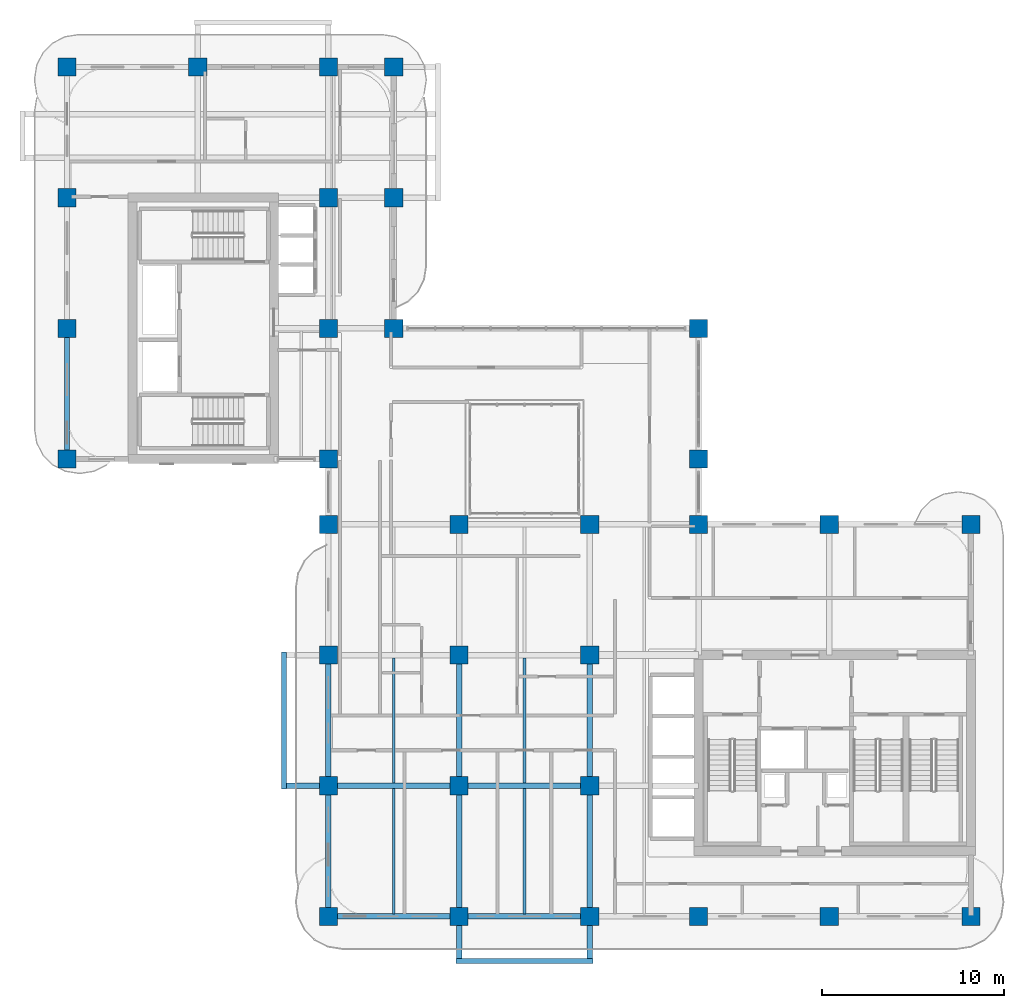
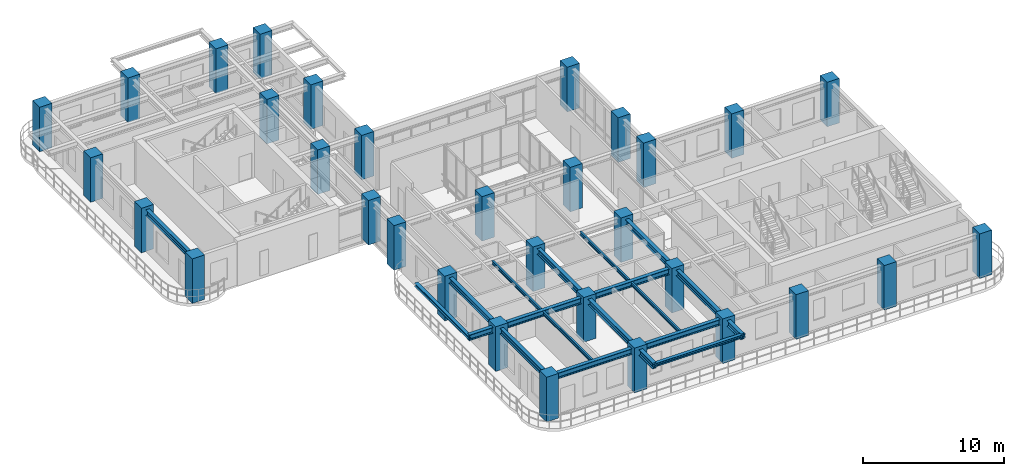
# One storey, part 1 of 21: 32 columns, 17 beams.
"""IFC4 building model written with IfcOpenShell, lengths in metres."""

import ifcopenshell
import ifcopenshell.guid

model = None  # the IFC model being written
_history = None  # IfcOwnerHistory: only IFC2X3 demands one
_inside = {}  # id of a spatial element -> (the spatial element, [elements in it])
_under = {}  # id of a project, library or spatial element -> (it, [spatial elements below it])
_declared = {}  # id of a project -> (the project, [libraries it declares])
_typed = {}  # id of a type object -> (the type object, [elements of that type])
_made_of = {}  # id of a material, layer set ... -> (it, [elements and type objects made of it])


def new_model(schema):
    """Start an empty IFC model of exactly this schema.

    Asked for "IFC4X3", IfcOpenShell would pick the latest addendum, in which some entities
    have other attributes; the version numbers below select the first issue.
    IFC2X3 requires an IfcOwnerHistory on every rooted entity: one is made here for all.
    """
    global model, _history
    if schema == "IFC4X3":
        model = ifcopenshell.file(schema_version=(4, 3, 0, 0))
    else:
        model = ifcopenshell.file(schema=schema)
    _inside.clear()
    _under.clear()
    _declared.clear()
    _typed.clear()
    _made_of.clear()
    _history = None
    if model.schema == "IFC2X3":
        org = make("IfcOrganization", Name="unknown")
        user = make(
            "IfcPersonAndOrganization",
            ThePerson=make("IfcPerson", FamilyName="unknown"),
            TheOrganization=org,
        )
        app = make(
            "IfcApplication",
            ApplicationDeveloper=org,
            Version="unknown",
            ApplicationFullName="unknown",
            ApplicationIdentifier="unknown",
        )
        _history = make(
            "IfcOwnerHistory",
            OwningUser=user,
            OwningApplication=app,
            ChangeAction="ADDED",
            CreationDate=0,
        )
    return model


def make(cls, **values):
    """One entity of the class cls with the attributes given. An attribute that is None is left unset."""
    return model.create_entity(
        cls, **{name: value for name, value in values.items() if value is not None}
    )


def rooted(cls, **values):
    """An entity with a GlobalId (a new one), such as an element, a storey or a relation."""
    return make(cls, GlobalId=ifcopenshell.guid.new(), OwnerHistory=_history, **values)


def si_unit(unit_type, name, prefix=None):
    """IfcSIUnit, for example si_unit("LENGTHUNIT", "METRE", prefix="MILLI")."""
    return make("IfcSIUnit", UnitType=unit_type, Prefix=prefix, Name=name)


def derived_unit(unit_type, elements):
    """IfcDerivedUnit: a product of units, each with its exponent."""
    return make(
        "IfcDerivedUnit",
        Elements=[
            make("IfcDerivedUnitElement", Unit=unit, Exponent=power)
            for unit, power in elements
        ],
        UnitType=unit_type,
    )


def assignment(units):
    """IfcUnitAssignment: the units of a project."""
    return None if units is None else make("IfcUnitAssignment", Units=units)


def point(xyz):
    """IfcCartesianPoint."""
    return None if xyz is None else make("IfcCartesianPoint", Coordinates=xyz)


def direction(xyz):
    """IfcDirection."""
    return None if xyz is None else make("IfcDirection", DirectionRatios=xyz)


def frame(location, z_axis=None, x_axis=None):
    """IfcAxis2Placement3D, a coordinate frame: its origin and axes. An axis left out is left unset."""
    return make(
        "IfcAxis2Placement3D",
        Location=point(location),
        Axis=direction(z_axis),
        RefDirection=direction(x_axis),
    )


def frame_2d(location, x_axis=None):
    """IfcAxis2Placement2D, a coordinate frame in the plane: its origin and x axis."""
    return make(
        "IfcAxis2Placement2D", Location=point(location), RefDirection=direction(x_axis)
    )


def origin():
    """The frame at (0, 0, 0) with its axes left unset."""
    return frame((0.0, 0.0, 0.0))


def origin_2d():
    """The frame at (0, 0) in the plane with its x axis left unset."""
    return frame_2d((0.0, 0.0))


def place(relative_to, where):
    """IfcLocalPlacement: puts the frame where relative to a parent placement (None: the world)."""
    return make(
        "IfcLocalPlacement", PlacementRelTo=relative_to, RelativePlacement=where
    )


def context(
    kind, dimensions, precision=None, world=None, true_north=None, identifier=None
):
    """IfcGeometricRepresentationContext, for example the 3D "Model" context."""
    return make(
        "IfcGeometricRepresentationContext",
        ContextIdentifier=identifier,
        ContextType=kind,
        CoordinateSpaceDimension=dimensions,
        Precision=precision,
        WorldCoordinateSystem=world,
        TrueNorth=true_north,
    )


def subcontext(parent, identifier, kind, view, scale=None):
    """IfcGeometricRepresentationSubContext, for example "Body" below "Model"."""
    return make(
        "IfcGeometricRepresentationSubContext",
        ContextIdentifier=identifier,
        ContextType=kind,
        ParentContext=parent,
        TargetScale=scale,
        TargetView=view,
    )


def project(units=None, contexts=None):
    """IfcProject with its units and contexts."""
    return rooted(
        "IfcProject",
        Name="project",
        RepresentationContexts=contexts,
        UnitsInContext=assignment(units),
    )


def spatial(cls, under=None, at=None, **own):
    """A site, building, storey or space (cls), placed at a placement, below another one or the project."""
    s = rooted(cls, ObjectPlacement=at, **own)
    if under is not None:
        _under.setdefault(under.id(), (under, []))[1].append(s)
    return s


def profile(cls, at=None, kind="AREA", **sizes):
    """A parametric profile (cls). Its sizes go by their IFC names, for example OverallWidth=200.0."""
    return make(cls, ProfileType=kind, Position=at, **sizes)


def rectangle(**sizes):
    """IfcRectangleProfileDef."""
    return profile("IfcRectangleProfileDef", **sizes)


def i_section(**sizes):
    """IfcIShapeProfileDef."""
    return profile("IfcIShapeProfileDef", **sizes)


def extrude(swept, where, along, depth):
    """IfcExtrudedAreaSolid: the profile swept, set in the frame where, extruded along a direction by depth."""
    return make(
        "IfcExtrudedAreaSolid",
        SweptArea=swept,
        Position=where,
        ExtrudedDirection=direction(along),
        Depth=depth,
    )


def shape(context_of_items, identifier, shape_type, items):
    """IfcShapeRepresentation: the items that make up one representation, for example the "Body"."""
    return make(
        "IfcShapeRepresentation",
        ContextOfItems=context_of_items,
        RepresentationIdentifier=identifier,
        RepresentationType=shape_type,
        Items=items,
    )


def source(mapping_origin, context_of_items, identifier, shape_type, items):
    """IfcRepresentationMap: a shape defined once, which mapped items show again and again."""
    return make(
        "IfcRepresentationMap",
        MappingOrigin=mapping_origin,
        MappedRepresentation=shape(context_of_items, identifier, shape_type, items),
    )


def transform(
    local_origin,
    x_axis=None,
    y_axis=None,
    z_axis=None,
    scale=None,
    scale2=None,
    scale3=None,
    uniform=True,
):
    """IfcCartesianTransformationOperator3D, or its non-uniform kind. x_axis, y_axis, z_axis: its Axis1, 2, 3."""
    if uniform:
        return make(
            "IfcCartesianTransformationOperator3D",
            Axis1=direction(x_axis),
            Axis2=direction(y_axis),
            LocalOrigin=point(local_origin),
            Scale=scale,
            Axis3=direction(z_axis),
        )
    return make(
        "IfcCartesianTransformationOperator3DnonUniform",
        Axis1=direction(x_axis),
        Axis2=direction(y_axis),
        LocalOrigin=point(local_origin),
        Scale=scale,
        Axis3=direction(z_axis),
        Scale2=scale2,
        Scale3=scale3,
    )


def mapped(mapping_source, mapping_target):
    """IfcMappedItem: shows the shape of a source again, moved by a transform."""
    return make(
        "IfcMappedItem", MappingSource=mapping_source, MappingTarget=mapping_target
    )


def material(Name=None, Category=None):
    """IfcMaterial."""
    return make("IfcMaterial", Name=Name, Category=Category)


def material_profile(
    of_material, cross_section, Name=None, Category=None, Priority=None
):
    """IfcMaterialProfile: a cross section and its material."""
    return make(
        "IfcMaterialProfile",
        Name=Name,
        Material=of_material,
        Profile=cross_section,
        Priority=Priority,
        Category=Category,
    )


def profile_set(profiles, Name=None, composite=None):
    """IfcMaterialProfileSet."""
    return make(
        "IfcMaterialProfileSet",
        Name=Name,
        MaterialProfiles=profiles,
        CompositeProfile=composite,
    )


def made_of(thing, what):
    """Note that an element or type object is made of a material, layer set ...; save() writes the relation."""
    if what is not None:
        _made_of.setdefault(what.id(), (what, []))[1].append(thing)
    return thing


def type_object(cls, material=None, **own):
    """A type object (cls), such as IfcWallType, which elements share."""
    return made_of(rooted(cls, **own), material)


def type_shapes(of_type, sources):
    """Give a type object the sources (RepresentationMaps) that its elements show as mapped items."""
    of_type.RepresentationMaps = sources


def element(
    cls,
    number,
    at=None,
    inside=None,
    cuts=None,
    type_object=None,
    material=None,
    context=None,
    identifier="Body",
    shape_type=None,
    held_by="IfcProductDefinitionShape",
    body=None,
    shapes=None,
    **own,
):
    """One element of the class cls, such as IfcWall. Its Tag is "e" and its number.

    at: its placement. inside: the storey or other place that contains it. cuts: it is an
    opening in that element (IfcRelVoidsElement). A single representation is given by context,
    identifier, shape_type and body (its items); several are given by shapes. held_by: the class
    of the entity that holds the representations. save() writes the other relations.
    """
    e = rooted(cls, Tag="e%d" % number, ObjectPlacement=at, **own)
    if body is not None:
        shapes = [shape(context, identifier, shape_type, body)]
    if shapes is not None:
        e.Representation = make(held_by, Representations=shapes)
    if inside is not None:
        _inside.setdefault(inside.id(), (inside, []))[1].append(e)
    if cuts is not None:
        rooted(
            "IfcRelVoidsElement", RelatingBuildingElement=cuts, RelatedOpeningElement=e
        )
    if type_object is not None:
        _typed.setdefault(type_object.id(), (type_object, []))[1].append(e)
    return made_of(e, material)


def aggregate(whole, parts):
    """IfcRelAggregates: a whole, such as a stair, and the parts it consists of."""
    return rooted("IfcRelAggregates", RelatingObject=whole, RelatedObjects=parts)


def save(model, path):
    """Write the relations noted so far, then the file.

    IfcRelAggregates (storeys below a building ...), IfcRelContainedInSpatialStructure (elements
    in a storey), IfcRelDefinesByType, IfcRelAssociatesMaterial and IfcRelDeclares: one each for
    every whole, place, type object, material and project.
    """
    for whole, parts in _under.values():
        aggregate(whole, parts)
    for where, things in _inside.values():
        rooted(
            "IfcRelContainedInSpatialStructure",
            RelatedElements=things,
            RelatingStructure=where,
        )
    for kind, things in _typed.values():
        rooted("IfcRelDefinesByType", RelatedObjects=things, RelatingType=kind)
    for what, things in _made_of.values():
        rooted("IfcRelAssociatesMaterial", RelatedObjects=things, RelatingMaterial=what)
    for by, libraries in _declared.values():
        rooted("IfcRelDeclares", RelatingContext=by, RelatedDefinitions=libraries)
    model.write(path)


model = new_model("IFC4")

# Units and contexts
model_context = context("Model", 3, precision=1e-05, world=origin(), true_north=direction((0.0, 1.0)))
body_context = subcontext(model_context, "Body", "Model", "MODEL_VIEW")
ifc_project = project(units=[si_unit("LENGTHUNIT", "METRE"), si_unit("AREAUNIT", "SQUARE_METRE"), si_unit("VOLUMEUNIT", "CUBIC_METRE"), si_unit("PLANEANGLEUNIT", "RADIAN"), si_unit("MASSUNIT", "GRAM", prefix="KILO"), si_unit("THERMODYNAMICTEMPERATUREUNIT", "KELVIN"), si_unit("POWERUNIT", "WATT"), derived_unit("THERMALTRANSMITTANCEUNIT", [(si_unit("POWERUNIT", "WATT"), 1), (si_unit("AREAUNIT", "SQUARE_METRE"), -1), (si_unit("THERMODYNAMICTEMPERATUREUNIT", "KELVIN"), -1)])], contexts=[model_context])

# Site, building, storey
site_placement = place(None, origin())
site = spatial("IfcSite", under=ifc_project, at=site_placement, CompositionType="ELEMENT")
building_placement = place(site_placement, origin())
building = spatial("IfcBuilding", under=site, at=building_placement, Name="Zahravan Archway Hotel and Residences", CompositionType="ELEMENT")
storey_placement = place(building_placement, frame((0.0, 0.0, 165.699951171875)))
storey = spatial("IfcBuildingStorey", under=building, at=storey_placement, Name="L41", CompositionType="ELEMENT", Elevation=165.699951171875)

# Columns
ifc_material_1 = material(Name="Concrete C60/75", Category="concrete")
ifc_material_profile_1 = material_profile(ifc_material_1, rectangle(XDim=1.0, YDim=1.0, at=origin_2d()), Name="RC-COL-1000x1000", Category="concrete")
ifc_profile_set_1 = profile_set([ifc_material_profile_1], Name="Concrete C60/75")
column_type = type_object("IfcColumnType", Name="COL-RC-1000", PredefinedType="COLUMN", material=ifc_profile_set_1)
shared_shape_1 = source(origin(), body_context, "Body", "SweptSolid", [
    extrude(rectangle(XDim=1.0, YDim=1.0, at=origin_2d()), origin(), (0.0, 0.0, 1.0), 3.85009765625),
])
for number, where, z_axis, x_axis, name in (
    (1, (0.0, 25.199951171875, 0.0), (0.0, 0.0, 1.0), (1.0, 0.0, 0.0), "L41 Column 1-E"),
    (2, (0.0, 32.39990234375, 0.0), (0.0, 0.0, 1.0), (1.0, 0.0, 0.0), "L41 Column 1-F"),
    (3, (0.0, 39.60009765625, 0.0), (0.0, 0.0, 1.0), (1.0, 0.0, 0.0), "L41 Column 1-G"),
    (4, (0.0, 46.800048828125, 0.0), (0.0, 0.0, 1.0), (1.0, 0.0, 0.0), "L41 Column 1-H"),
    (5, (7.199951171875, 46.800048828125, 0.0), (0.0, 0.0, 1.0), (1.0, 0.0, 0.0), "L41 Column 2-H"),
    (6, (14.39990234375, 0.0, 0.0), (0.0, 0.0, 1.0), (1.0, 0.0, 0.0), "L41 Column 3-A"),
    (7, (14.39990234375, 7.199951171875, 0.0), (0.0, 0.0, 1.0), (1.0, 0.0, 0.0), "L41 Column 3-B"),
    (8, (14.39990234375, 14.39990234375, 0.0), (0.0, 0.0, 1.0), (1.0, 0.0, 0.0), "L41 Column 3-C"),
    (9, (14.39990234375, 21.60009765625, 0.0), (0.0, 0.0, 1.0), (1.0, 0.0, 0.0), "L41 Column 3-D"),
    (10, (14.39990234375, 25.199951171875, 0.0), (0.0, 0.0, 1.0), (1.0, 0.0, 0.0), "L41 Column 3-E"),
    (11, (14.39990234375, 32.39990234375, 0.0), (0.0, 0.0, 1.0), (1.0, 0.0, 0.0), "L41 Column 3-F"),
    (12, (14.39990234375, 39.60009765625, 0.0), (0.0, 0.0, 1.0), (1.0, 0.0, 0.0), "L41 Column 3-G"),
    (13, (14.39990234375, 46.800048828125, 0.0), (0.0, 0.0, 1.0), (1.0, 0.0, 0.0), "L41 Column 3-H"),
    (14, (21.60009765625, 0.0, 0.0), (0.0, 0.0, 1.0), (1.0, 0.0, 0.0), "L41 Column 4-A"),
    (15, (21.60009765625, 7.199951171875, 0.0), (0.0, 0.0, 1.0), (1.0, 0.0, 0.0), "L41 Column 4-B"),
    (16, (21.60009765625, 14.39990234375, 0.0), (0.0, 0.0, 1.0), (1.0, 0.0, 0.0), "L41 Column 4-C"),
    (17, (21.60009765625, 21.60009765625, 0.0), (0.0, 0.0, 1.0), (1.0, 0.0, 0.0), "L41 Column 4-D"),
    (18, (28.800048828125, 0.0, 0.0), (0.0, 0.0, 1.0), (1.0, 0.0, 0.0), "L41 Column 5-A"),
    (19, (28.800048828125, 7.199951171875, 0.0), (0.0, 0.0, 1.0), (1.0, 0.0, 0.0), "L41 Column 5-B"),
    (20, (28.800048828125, 14.39990234375, 0.0), (0.0, 0.0, 1.0), (1.0, 0.0, 0.0), "L41 Column 5-C"),
    (21, (28.800048828125, 21.60009765625, 0.0), (0.0, 0.0, 1.0), (1.0, 0.0, 0.0), "L41 Column 5-D"),
    (22, (34.800048828125, 0.0, 0.0), (0.0, 0.0, 1.0), (1.0, 0.0, 0.0), "L41 Column 6-A"),
    (23, (34.800048828125, 21.60009765625, 0.0), (0.0, 0.0, 1.0), (1.0, 0.0, 0.0), "L41 Column 6-D"),
    (24, (34.800048828125, 25.199951171875, 0.0), (0.0, 0.0, 1.0), (1.0, 0.0, 0.0), "L41 Column 6-E"),
    (25, (34.800048828125, 32.39990234375, 0.0), (0.0, 0.0, 1.0), (1.0, 0.0, 0.0), "L41 Column 6-F"),
    (26, (42.0, 0.0, 0.0), (0.0, 0.0, 1.0), (1.0, 0.0, 0.0), "L41 Column 7-A"),
    (27, (42.0, 21.60009765625, 0.0), (0.0, 0.0, 1.0), (1.0, 0.0, 0.0), "L41 Column 7-D"),
    (28, (49.800048828125, 0.0, 0.0), (0.0, 0.0, 1.0), (1.0, 0.0, 0.0), "L41 Column 8-A"),
    (29, (49.800048828125, 21.60009765625, 0.0), (0.0, 0.0, 1.0), (1.0, 0.0, 0.0), "L41 Column 8-D"),
    (30, (18.0, 32.39990234375, 0.0), (0.0, 0.0, 1.0), (1.0, 0.0, 0.0), "L41 Column 3B-F"),
    (31, (18.0, 39.60009765625, 0.0), (0.0, 0.0, 1.0), (1.0, 0.0, 0.0), "L41 Column 3B-G"),
    (32, (18.0, 46.800048828125, 0.0), (0.0, 0.0, 1.0), (1.0, 0.0, 0.0), "L41 Column 3B-H"),
):
    element("IfcColumn", number, at=place(storey_placement, frame(where, z_axis=z_axis, x_axis=x_axis)), inside=storey, type_object=column_type, Name=name, PredefinedType="COLUMN", context=body_context, shape_type="MappedRepresentation", body=[
        mapped(shared_shape_1, transform((0.0, 0.0, 0.0), scale=1.0)),
    ])

# Beams
ifc_material_2 = material(Name="Structural Steel S355JR", Category="steel")
ifc_material_profile_2 = material_profile(ifc_material_2, i_section(OverallWidth=0.280029296875, OverallDepth=0.280029296875, WebThickness=0.010498046875, FlangeThickness=0.01806640625, FilletRadius=0.02392578125, at=origin_2d()), Name="HEB 280", Category="steel")
ifc_profile_set_2 = profile_set([ifc_material_profile_2], Name="Structural Steel S355JR")
beam_type_1 = type_object("IfcBeamType", Name="BM-SPN-HEB280", PredefinedType="SPANDREL", material=ifc_profile_set_2)
shared_shape_2 = source(origin(), body_context, "Body", "SweptSolid", [
    extrude(i_section(OverallWidth=0.280029296875, OverallDepth=0.280029296875, WebThickness=0.010498046875, FlangeThickness=0.01806640625, FilletRadius=0.02392578125, at=origin_2d()), origin(), (0.0, 0.0, 1.0), 7.56005859375),
])
type_shapes(beam_type_1, [shared_shape_2])
for number, where, z_axis, x_axis, name in (
    (33, (11.949951171875, 7.02001953125, 3.4599609375), (0.0, 1.0, 0.0), (-1.0, 0.0, 0.0), "L42 WA Balcony Edge Spandrel"),
    (34, (21.419921875, -2.449951171875, 3.4599609375), (1.0, 0.0, 0.0), (0.0, 1.0, 0.0), "L42 SA Balcony Edge Spandrel"),
):
    element("IfcBeam", number, at=place(storey_placement, frame(where, z_axis=z_axis, x_axis=x_axis)), inside=storey, type_object=beam_type_1, Name=name, PredefinedType="SPANDREL", context=body_context, shape_type="MappedRepresentation", body=[
        mapped(shared_shape_2, transform((0.0, 0.0, 0.0), scale=1.0)),
    ])
ifc_material_profile_3 = material_profile(ifc_material_2, i_section(OverallWidth=0.300048828125, OverallDepth=0.5, WebThickness=0.014404296875, FlangeThickness=0.028076171875, FilletRadius=0.027099609375, at=origin_2d()), Name="HEB 500", Category="steel")
ifc_profile_set_3 = profile_set([ifc_material_profile_3], Name="Structural Steel S355JR")
beam_type_2 = type_object("IfcBeamType", Name="BM-PRI-HEB500", PredefinedType="BEAM", material=ifc_profile_set_3)
shared_shape_3 = source(origin(), body_context, "Body", "SweptSolid", [
    extrude(i_section(OverallWidth=0.300048828125, OverallDepth=0.5, WebThickness=0.014404296875, FlangeThickness=0.028076171875, FilletRadius=0.027099609375, at=origin_2d()), origin(), (0.0, 0.0, 1.0), 7.2001953125),
])
type_shapes(beam_type_2, [shared_shape_3])
beam_1_placement = place(storey_placement, frame((14.39990234375, 0.0, 3.35009765625), z_axis=(1.0, 0.0, 0.0), x_axis=(0.0, 1.0, 0.0)))
element("IfcBeam", 35, at=beam_1_placement, inside=storey, type_object=beam_type_2, Name="L41 Primary Girder EW-01", PredefinedType="BEAM", context=body_context, shape_type="MappedRepresentation", body=[
    mapped(shared_shape_3, transform((0.0, 0.0, 0.0), scale=1.0)),
])
shared_shape_4 = source(origin(), body_context, "Body", "SweptSolid", [
    extrude(i_section(OverallWidth=0.300048828125, OverallDepth=0.5, WebThickness=0.014404296875, FlangeThickness=0.028076171875, FilletRadius=0.027099609375, at=origin_2d()), origin(), (0.0, 0.0, 1.0), 7.199951171875),
])
for number, where, z_axis, x_axis, name in (
    (36, (21.60009765625, 0.0, 3.35009765625), (1.0, 0.0, 0.0), (0.0, 1.0, 0.0), "L41 Primary Girder EW-02"),
    (37, (21.60009765625, 7.199951171875, 3.35009765625), (1.0, 0.0, 0.0), (0.0, 1.0, 0.0), "L41 Primary Girder EW-07"),
    (38, (0.0, 25.199951171875, 3.35009765625), (0.0, 1.0, 0.0), (-1.0, 0.0, 0.0), "L41 Primary Girder NS-24"),
    (39, (14.39990234375, 0.0, 3.35009765625), (0.0, 1.0, 0.0), (-1.0, 0.0, 0.0), "L41 Primary Girder NS-28"),
    (40, (14.39990234375, 7.199951171875, 3.35009765625), (0.0, 1.0, 0.0), (-1.0, 0.0, 0.0), "L41 Primary Girder NS-29"),
    (41, (21.60009765625, 7.199951171875, 3.35009765625), (0.0, 1.0, 0.0), (-1.0, 0.0, 0.0), "L41 Primary Girder NS-36"),
    (42, (28.800048828125, 7.199951171875, 3.35009765625), (0.0, 1.0, 0.0), (-1.0, 0.0, 0.0), "L41 Primary Girder NS-39"),
):
    element("IfcBeam", number, at=place(storey_placement, frame(where, z_axis=z_axis, x_axis=x_axis)), inside=storey, type_object=beam_type_2, Name=name, PredefinedType="BEAM", context=body_context, shape_type="MappedRepresentation", body=[
        mapped(shared_shape_4, transform((0.0, 0.0, 0.0), scale=1.0)),
    ])
shared_shape_5 = source(origin(), body_context, "Body", "SweptSolid", [
    extrude(i_section(OverallWidth=0.300048828125, OverallDepth=0.5, WebThickness=0.014404296875, FlangeThickness=0.028076171875, FilletRadius=0.027099609375, at=origin_2d()), origin(), (0.0, 0.0, 1.0), 9.650146484375),
])
beam_2_placement = place(storey_placement, frame((11.949951171875, 7.199951171875, 3.35009765625), z_axis=(1.0, 0.0, 0.0), x_axis=(0.0, 1.0, 0.0)))
element("IfcBeam", 43, at=beam_2_placement, inside=storey, type_object=beam_type_2, Name="L41 Primary Girder EW-06", PredefinedType="BEAM", context=body_context, shape_type="MappedRepresentation", body=[
    mapped(shared_shape_5, transform((0.0, 0.0, 0.0), scale=1.0)),
])
shared_shape_6 = source(origin(), body_context, "Body", "SweptSolid", [
    extrude(i_section(OverallWidth=0.300048828125, OverallDepth=0.5, WebThickness=0.014404296875, FlangeThickness=0.028076171875, FilletRadius=0.027099609375, at=origin_2d()), origin(), (0.0, 0.0, 1.0), 9.64990234375),
])
for number, where, z_axis, x_axis, name in (
    (44, (21.60009765625, -2.449951171875, 3.35009765625), (0.0, 1.0, 0.0), (-1.0, 0.0, 0.0), "L41 Primary Girder NS-35"),
    (45, (28.800048828125, -2.449951171875, 3.35009765625), (0.0, 1.0, 0.0), (-1.0, 0.0, 0.0), "L41 Primary Girder NS-38"),
):
    element("IfcBeam", number, at=place(storey_placement, frame(where, z_axis=z_axis, x_axis=x_axis)), inside=storey, type_object=beam_type_2, Name=name, PredefinedType="BEAM", context=body_context, shape_type="MappedRepresentation", body=[
        mapped(shared_shape_6, transform((0.0, 0.0, 0.0), scale=1.0)),
    ])
ifc_material_profile_4 = material_profile(ifc_material_2, i_section(OverallWidth=0.14990234375, OverallDepth=0.300048828125, WebThickness=0.007080078125, FlangeThickness=0.0107421875, FilletRadius=0.014892578125, at=origin_2d()), Name="IPE 300", Category="steel")
ifc_profile_set_4 = profile_set([ifc_material_profile_4], Name="Structural Steel S355JR")
beam_type_3 = type_object("IfcBeamType", Name="BM-JST-IPE300", PredefinedType="JOIST", material=ifc_profile_set_4)
shared_shape_7 = source(origin(), body_context, "Body", "SweptSolid", [
    extrude(i_section(OverallWidth=0.14990234375, OverallDepth=0.300048828125, WebThickness=0.007080078125, FlangeThickness=0.0107421875, FilletRadius=0.014892578125, at=origin_2d()), origin(), (0.0, 0.0, 1.0), 6.904052734375),
])
type_shapes(beam_type_3, [shared_shape_7])
for number, where, z_axis, x_axis, name in (
    (46, (18.0, 0.14794921875, 3.449951171875), (0.0, 1.0, 0.0), (-1.0, 0.0, 0.0), "L41 Composite Floor Joist 01"),
    (47, (25.199951171875, 0.14794921875, 3.449951171875), (0.0, 1.0, 0.0), (-1.0, 0.0, 0.0), "L41 Composite Floor Joist 02"),
    (48, (18.0, 7.347900390625, 3.449951171875), (0.0, 1.0, 0.0), (-1.0, 0.0, 0.0), "L41 Composite Floor Joist 04"),
    (49, (25.199951171875, 7.347900390625, 3.449951171875), (0.0, 1.0, 0.0), (-1.0, 0.0, 0.0), "L41 Composite Floor Joist 05"),
):
    element("IfcBeam", number, at=place(storey_placement, frame(where, z_axis=z_axis, x_axis=x_axis)), inside=storey, type_object=beam_type_3, Name=name, PredefinedType="JOIST", context=body_context, shape_type="MappedRepresentation", body=[
        mapped(shared_shape_7, transform((0.0, 0.0, 0.0), scale=1.0)),
    ])

save(model, "model.ifc")
